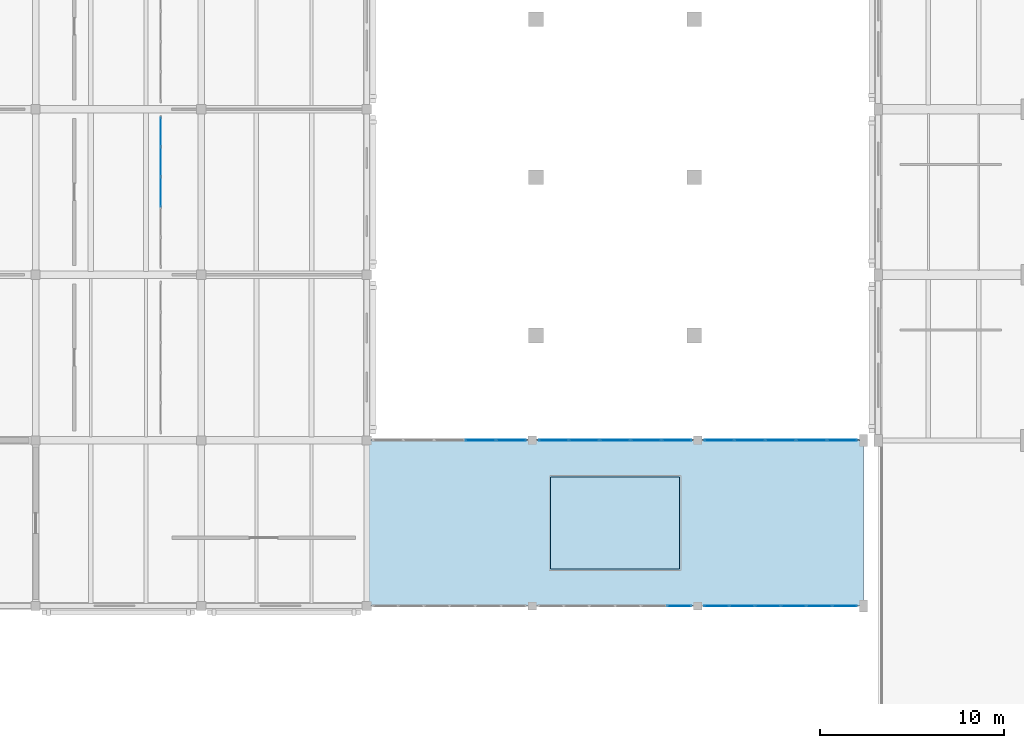
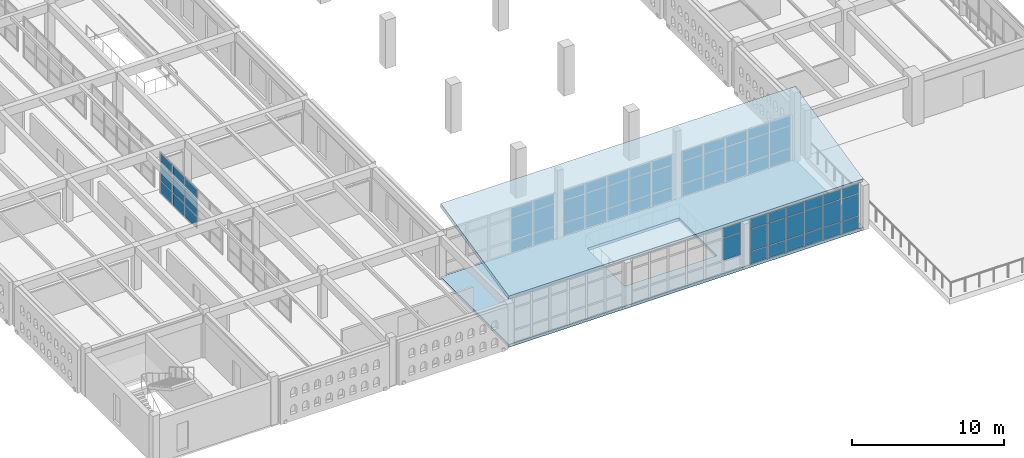
# One storey, part 107 of 156: 65 plates, 2 slabs, 6 elements without a shape of their own.
"""IFC4 building model written with IfcOpenShell, lengths in metres."""

from ifc_helpers import new_model, si_unit, direction, frame, origin, origin_2d, place, context, subcontext, project, spatial, polyline, rectangle, outline, extrude, material, layer, layer_set, type_object, element, aggregate, save


model = new_model("IFC4")

# Units and contexts
model_context = context("Model", 3, precision=1e-05, world=origin(), true_north=direction((0.0, 1.0)))
body_context = subcontext(model_context, "Body", "Model", "MODEL_VIEW")
ifc_project = project(units=[si_unit("LENGTHUNIT", "METRE"), si_unit("AREAUNIT", "SQUARE_METRE"), si_unit("VOLUMEUNIT", "CUBIC_METRE"), si_unit("PLANEANGLEUNIT", "RADIAN"), si_unit("MASSUNIT", "GRAM", prefix="KILO")], contexts=[model_context])

# Site, building, storey
site_placement = place(None, origin())
site = spatial("IfcSite", under=ifc_project, at=site_placement, CompositionType="ELEMENT")
building_placement = place(site_placement, origin())
building = spatial("IfcBuilding", under=site, at=building_placement, Name="Ornek Quay Market", CompositionType="ELEMENT")
storey_placement = place(building_placement, frame((0.0, 0.0, 4.5)))
storey = spatial("IfcBuildingStorey", under=building, at=storey_placement, Name="L01", CompositionType="ELEMENT", Elevation=4.5)

# Curtain wall, plates
ifc_material_1 = material(Name="Anodised bronze aluminium and triple low-e glass", Category="aluminium")
ifc_layer_1 = layer(ifc_material_1, 0.179931640625, Name="Anodised bronze aluminium and triple low-e glass", Category="aluminium")
ifc_layer_set_1 = layer_set([ifc_layer_1], Name="Anodised bronze aluminium and triple low-e glass")
curtain_wall_type_1 = type_object("IfcCurtainWallType", Name="CW-CONC-MOD1500", PredefinedType="USERDEFINED", material=ifc_layer_set_1)
curtain_wall_1_placement = place(storey_placement, origin())
curtain_wall_1 = element("IfcCurtainWall", 1, at=curtain_wall_1_placement, inside=storey, type_object=curtain_wall_type_1, Name="Curtain wall CW-135", ObjectType="CURTAIN WALL", PredefinedType="USERDEFINED")
ifc_material_2 = material(Name="Toughened laminated acoustic glass", Category="glass")
ifc_layer_2 = layer(ifc_material_2, 0.01611328125, Name="Toughened laminated acoustic glass", Category="glass")
ifc_layer_set_2 = layer_set([ifc_layer_2], Name="Toughened laminated acoustic glass")
plate_type_1 = type_object("IfcPlateType", Name="PL-CW-INT-16", PredefinedType="CURTAIN_PANEL", material=ifc_layer_set_2)
plate_1_placement = place(storey_placement, frame((15.800048828125, 42.5, 0.06005859375), z_axis=(0.0, 0.0, 1.0), x_axis=(0.0, 1.0, 0.0)))
plate_1 = element("IfcPlate", 2, at=plate_1_placement, type_object=plate_type_1, Name="CW-135 panel 3.1", PredefinedType="CURTAIN_PANEL", context=body_context, shape_type="SweptSolid", body=[
    extrude(rectangle(XDim=1.580078125, YDim=0.01611328125, at=origin_2d()), origin(), (0.0, 0.0, 1.0), 0.9599609375),
])
plate_2_placement = place(storey_placement, frame((15.800048828125, 42.5, 1.080078125), z_axis=(0.0, 0.0, 1.0), x_axis=(0.0, 1.0, 0.0)))
plate_2 = element("IfcPlate", 3, at=plate_2_placement, type_object=plate_type_1, Name="CW-135 panel 3.2", PredefinedType="CURTAIN_PANEL", context=body_context, shape_type="SweptSolid", body=[
    extrude(rectangle(XDim=1.580078125, YDim=0.01611328125, at=origin_2d()), origin(), (0.0, 0.0, 1.0), 1.340087890625),
])
plate_3_placement = place(storey_placement, frame((15.800048828125, 42.5, 2.47998046875), z_axis=(0.0, 0.0, 1.0), x_axis=(0.0, 1.0, 0.0)))
plate_3 = element("IfcPlate", 4, at=plate_3_placement, type_object=plate_type_1, Name="CW-135 panel 3.3", PredefinedType="CURTAIN_PANEL", context=body_context, shape_type="SweptSolid", body=[
    extrude(rectangle(XDim=1.580078125, YDim=0.01611328125, at=origin_2d()), origin(), (0.0, 0.0, 1.0), 0.760009765625),
])
plate_4_placement = place(storey_placement, frame((15.800048828125, 44.139892578125, 0.06005859375), z_axis=(0.0, 0.0, 1.0), x_axis=(0.0, 1.0, 0.0)))
plate_4 = element("IfcPlate", 5, at=plate_4_placement, type_object=plate_type_1, Name="CW-135 panel 4.1", PredefinedType="CURTAIN_PANEL", context=body_context, shape_type="SweptSolid", body=[
    extrude(rectangle(XDim=1.580078125, YDim=0.01611328125, at=origin_2d()), origin(), (0.0, 0.0, 1.0), 0.9599609375),
])
plate_5_placement = place(storey_placement, frame((15.800048828125, 44.139892578125, 1.080078125), z_axis=(0.0, 0.0, 1.0), x_axis=(0.0, 1.0, 0.0)))
plate_5 = element("IfcPlate", 6, at=plate_5_placement, type_object=plate_type_1, Name="CW-135 panel 4.2", PredefinedType="CURTAIN_PANEL", context=body_context, shape_type="SweptSolid", body=[
    extrude(rectangle(XDim=1.580078125, YDim=0.01611328125, at=origin_2d()), origin(), (0.0, 0.0, 1.0), 1.340087890625),
])
plate_6_placement = place(storey_placement, frame((15.800048828125, 44.139892578125, 2.47998046875), z_axis=(0.0, 0.0, 1.0), x_axis=(0.0, 1.0, 0.0)))
plate_6 = element("IfcPlate", 7, at=plate_6_placement, type_object=plate_type_1, Name="CW-135 panel 4.3", PredefinedType="CURTAIN_PANEL", context=body_context, shape_type="SweptSolid", body=[
    extrude(rectangle(XDim=1.580078125, YDim=0.01611328125, at=origin_2d()), origin(), (0.0, 0.0, 1.0), 0.760009765625),
])
plate_7_placement = place(storey_placement, frame((15.800048828125, 45.764892578125, 0.06005859375), z_axis=(0.0, 0.0, 1.0), x_axis=(0.0, 1.0, 0.0)))
plate_7 = element("IfcPlate", 8, at=plate_7_placement, type_object=plate_type_1, Name="CW-135 panel 5.1", PredefinedType="CURTAIN_PANEL", context=body_context, shape_type="SweptSolid", body=[
    extrude(rectangle(XDim=1.550048828125, YDim=0.01611328125, at=origin_2d()), origin(), (0.0, 0.0, 1.0), 0.9599609375),
])
plate_8_placement = place(storey_placement, frame((15.800048828125, 45.764892578125, 1.080078125), z_axis=(0.0, 0.0, 1.0), x_axis=(0.0, 1.0, 0.0)))
plate_8 = element("IfcPlate", 9, at=plate_8_placement, type_object=plate_type_1, Name="CW-135 panel 5.2", PredefinedType="CURTAIN_PANEL", context=body_context, shape_type="SweptSolid", body=[
    extrude(rectangle(XDim=1.550048828125, YDim=0.01611328125, at=origin_2d()), origin(), (0.0, 0.0, 1.0), 1.340087890625),
])
plate_9_placement = place(storey_placement, frame((15.800048828125, 45.764892578125, 2.47998046875), z_axis=(0.0, 0.0, 1.0), x_axis=(0.0, 1.0, 0.0)))
plate_9 = element("IfcPlate", 10, at=plate_9_placement, type_object=plate_type_1, Name="CW-135 panel 5.3", PredefinedType="CURTAIN_PANEL", context=body_context, shape_type="SweptSolid", body=[
    extrude(rectangle(XDim=1.550048828125, YDim=0.01611328125, at=origin_2d()), origin(), (0.0, 0.0, 1.0), 0.760009765625),
])
aggregate(curtain_wall_1, [plate_1, plate_2, plate_3, plate_4, plate_5, plate_6, plate_7, plate_8, plate_9])

curtain_wall_2_placement = place(storey_placement, origin())
curtain_wall_2 = element("IfcCurtainWall", 11, at=curtain_wall_2_placement, inside=storey, type_object=curtain_wall_type_1, Name="Curtain wall CW-020", ObjectType="CURTAIN WALL", PredefinedType="USERDEFINED")
ifc_material_3 = material(Name="Triple insulated low-e glass", Category="glass")
ifc_layer_3 = layer(ifc_material_3, 0.035888671875, Name="Triple insulated low-e glass", Category="glass")
ifc_layer_set_3 = layer_set([ifc_layer_3], Name="Triple insulated low-e glass")
plate_type_2 = type_object("IfcPlateType", Name="PL-CW-TRIPLE-36", PredefinedType="CURTAIN_PANEL", material=ifc_layer_set_3)
plate_10_placement = place(storey_placement, frame((43.985107421875, 20.0, 1.080078125), z_axis=(0.0, 0.0, 1.0), x_axis=(1.0, 0.0, 0.0)))
plate_10 = element("IfcPlate", 12, at=plate_10_placement, type_object=plate_type_2, Name="CW-020 panel 6.2", PredefinedType="CURTAIN_PANEL", context=body_context, shape_type="SweptSolid", body=[
    extrude(rectangle(XDim=1.31005859375, YDim=0.035888671875, at=origin_2d()), origin(), (0.0, 0.0, 1.0), 1.75),
])
plate_11_placement = place(storey_placement, frame((43.985107421875, 20.0, 2.89013671875), z_axis=(0.0, 0.0, 1.0), x_axis=(1.0, 0.0, 0.0)))
plate_11 = element("IfcPlate", 13, at=plate_11_placement, type_object=plate_type_2, Name="CW-020 panel 6.3", PredefinedType="CURTAIN_PANEL", context=body_context, shape_type="SweptSolid", body=[
    extrude(rectangle(XDim=1.31005859375, YDim=0.035888671875, at=origin_2d()), origin(), (0.0, 0.0, 1.0), 0.760009765625),
])
aggregate(curtain_wall_2, [plate_10, plate_11])

curtain_wall_3_placement = place(storey_placement, origin())
curtain_wall_3 = element("IfcCurtainWall", 14, at=curtain_wall_3_placement, inside=storey, type_object=curtain_wall_type_1, Name="Curtain wall CW-024", ObjectType="CURTAIN WALL", PredefinedType="USERDEFINED")
plate_12_placement = place(storey_placement, frame((46.014892578125, 20.0, 0.06005859375), z_axis=(0.0, 0.0, 1.0), x_axis=(1.0, 0.0, 0.0)))
plate_12 = element("IfcPlate", 15, at=plate_12_placement, type_object=plate_type_2, Name="CW-024 panel 1.1", PredefinedType="CURTAIN_PANEL", context=body_context, shape_type="SweptSolid", body=[
    extrude(rectangle(XDim=1.31005859375, YDim=0.035888671875, at=origin_2d()), origin(), (0.0, 0.0, 1.0), 0.9599609375),
])
plate_13_placement = place(storey_placement, frame((46.014892578125, 20.0, 1.080078125), z_axis=(0.0, 0.0, 1.0), x_axis=(1.0, 0.0, 0.0)))
plate_13 = element("IfcPlate", 16, at=plate_13_placement, type_object=plate_type_2, Name="CW-024 panel 1.2", PredefinedType="CURTAIN_PANEL", context=body_context, shape_type="SweptSolid", body=[
    extrude(rectangle(XDim=1.31005859375, YDim=0.035888671875, at=origin_2d()), origin(), (0.0, 0.0, 1.0), 1.75),
])
plate_14_placement = place(storey_placement, frame((46.014892578125, 20.0, 2.89013671875), z_axis=(0.0, 0.0, 1.0), x_axis=(1.0, 0.0, 0.0)))
plate_14 = element("IfcPlate", 17, at=plate_14_placement, type_object=plate_type_2, Name="CW-024 panel 1.3", PredefinedType="CURTAIN_PANEL", context=body_context, shape_type="SweptSolid", body=[
    extrude(rectangle(XDim=1.31005859375, YDim=0.035888671875, at=origin_2d()), origin(), (0.0, 0.0, 1.0), 0.760009765625),
])
plate_15_placement = place(storey_placement, frame((47.39990234375, 20.0, 0.06005859375), z_axis=(0.0, 0.0, 1.0), x_axis=(1.0, 0.0, 0.0)))
plate_15 = element("IfcPlate", 18, at=plate_15_placement, type_object=plate_type_2, Name="CW-024 panel 2.1", PredefinedType="CURTAIN_PANEL", context=body_context, shape_type="SweptSolid", body=[
    extrude(rectangle(XDim=1.340087890625, YDim=0.035888671875, at=origin_2d()), origin(), (0.0, 0.0, 1.0), 0.9599609375),
])
plate_16_placement = place(storey_placement, frame((47.39990234375, 20.0, 1.080078125), z_axis=(0.0, 0.0, 1.0), x_axis=(1.0, 0.0, 0.0)))
plate_16 = element("IfcPlate", 19, at=plate_16_placement, type_object=plate_type_2, Name="CW-024 panel 2.2", PredefinedType="CURTAIN_PANEL", context=body_context, shape_type="SweptSolid", body=[
    extrude(rectangle(XDim=1.340087890625, YDim=0.035888671875, at=origin_2d()), origin(), (0.0, 0.0, 1.0), 1.75),
])
plate_17_placement = place(storey_placement, frame((47.39990234375, 20.0, 2.89013671875), z_axis=(0.0, 0.0, 1.0), x_axis=(1.0, 0.0, 0.0)))
plate_17 = element("IfcPlate", 20, at=plate_17_placement, type_object=plate_type_2, Name="CW-024 panel 2.3", PredefinedType="CURTAIN_PANEL", context=body_context, shape_type="SweptSolid", body=[
    extrude(rectangle(XDim=1.340087890625, YDim=0.035888671875, at=origin_2d()), origin(), (0.0, 0.0, 1.0), 0.760009765625),
])
plate_18_placement = place(storey_placement, frame((48.800048828125, 20.0, 0.06005859375), z_axis=(0.0, 0.0, 1.0), x_axis=(1.0, 0.0, 0.0)))
plate_18 = element("IfcPlate", 21, at=plate_18_placement, type_object=plate_type_2, Name="CW-024 panel 3.1", PredefinedType="CURTAIN_PANEL", context=body_context, shape_type="SweptSolid", body=[
    extrude(rectangle(XDim=1.340087890625, YDim=0.035888671875, at=origin_2d()), origin(), (0.0, 0.0, 1.0), 0.9599609375),
])
plate_19_placement = place(storey_placement, frame((48.800048828125, 20.0, 1.080078125), z_axis=(0.0, 0.0, 1.0), x_axis=(1.0, 0.0, 0.0)))
plate_19 = element("IfcPlate", 22, at=plate_19_placement, type_object=plate_type_2, Name="CW-024 panel 3.2", PredefinedType="CURTAIN_PANEL", context=body_context, shape_type="SweptSolid", body=[
    extrude(rectangle(XDim=1.340087890625, YDim=0.035888671875, at=origin_2d()), origin(), (0.0, 0.0, 1.0), 1.75),
])
plate_20_placement = place(storey_placement, frame((48.800048828125, 20.0, 2.89013671875), z_axis=(0.0, 0.0, 1.0), x_axis=(1.0, 0.0, 0.0)))
plate_20 = element("IfcPlate", 23, at=plate_20_placement, type_object=plate_type_2, Name="CW-024 panel 3.3", PredefinedType="CURTAIN_PANEL", context=body_context, shape_type="SweptSolid", body=[
    extrude(rectangle(XDim=1.340087890625, YDim=0.035888671875, at=origin_2d()), origin(), (0.0, 0.0, 1.0), 0.760009765625),
])
plate_21_placement = place(storey_placement, frame((50.199951171875, 20.0, 0.06005859375), z_axis=(0.0, 0.0, 1.0), x_axis=(1.0, 0.0, 0.0)))
plate_21 = element("IfcPlate", 24, at=plate_21_placement, type_object=plate_type_2, Name="CW-024 panel 4.1", PredefinedType="CURTAIN_PANEL", context=body_context, shape_type="SweptSolid", body=[
    extrude(rectangle(XDim=1.340087890625, YDim=0.035888671875, at=origin_2d()), origin(), (0.0, 0.0, 1.0), 0.9599609375),
])
plate_22_placement = place(storey_placement, frame((50.199951171875, 20.0, 1.080078125), z_axis=(0.0, 0.0, 1.0), x_axis=(1.0, 0.0, 0.0)))
plate_22 = element("IfcPlate", 25, at=plate_22_placement, type_object=plate_type_2, Name="CW-024 panel 4.2", PredefinedType="CURTAIN_PANEL", context=body_context, shape_type="SweptSolid", body=[
    extrude(rectangle(XDim=1.340087890625, YDim=0.035888671875, at=origin_2d()), origin(), (0.0, 0.0, 1.0), 1.75),
])
plate_23_placement = place(storey_placement, frame((50.199951171875, 20.0, 2.89013671875), z_axis=(0.0, 0.0, 1.0), x_axis=(1.0, 0.0, 0.0)))
plate_23 = element("IfcPlate", 26, at=plate_23_placement, type_object=plate_type_2, Name="CW-024 panel 4.3", PredefinedType="CURTAIN_PANEL", context=body_context, shape_type="SweptSolid", body=[
    extrude(rectangle(XDim=1.340087890625, YDim=0.035888671875, at=origin_2d()), origin(), (0.0, 0.0, 1.0), 0.760009765625),
])
plate_24_placement = place(storey_placement, frame((51.60009765625, 20.0, 0.06005859375), z_axis=(0.0, 0.0, 1.0), x_axis=(1.0, 0.0, 0.0)))
plate_24 = element("IfcPlate", 27, at=plate_24_placement, type_object=plate_type_2, Name="CW-024 panel 5.1", PredefinedType="CURTAIN_PANEL", context=body_context, shape_type="SweptSolid", body=[
    extrude(rectangle(XDim=1.340087890625, YDim=0.035888671875, at=origin_2d()), origin(), (0.0, 0.0, 1.0), 0.9599609375),
])
plate_25_placement = place(storey_placement, frame((51.60009765625, 20.0, 1.080078125), z_axis=(0.0, 0.0, 1.0), x_axis=(1.0, 0.0, 0.0)))
plate_25 = element("IfcPlate", 28, at=plate_25_placement, type_object=plate_type_2, Name="CW-024 panel 5.2", PredefinedType="CURTAIN_PANEL", context=body_context, shape_type="SweptSolid", body=[
    extrude(rectangle(XDim=1.340087890625, YDim=0.035888671875, at=origin_2d()), origin(), (0.0, 0.0, 1.0), 1.75),
])
plate_26_placement = place(storey_placement, frame((51.60009765625, 20.0, 2.89013671875), z_axis=(0.0, 0.0, 1.0), x_axis=(1.0, 0.0, 0.0)))
plate_26 = element("IfcPlate", 29, at=plate_26_placement, type_object=plate_type_2, Name="CW-024 panel 5.3", PredefinedType="CURTAIN_PANEL", context=body_context, shape_type="SweptSolid", body=[
    extrude(rectangle(XDim=1.340087890625, YDim=0.035888671875, at=origin_2d()), origin(), (0.0, 0.0, 1.0), 0.760009765625),
])
plate_27_placement = place(storey_placement, frame((52.985107421875, 20.0, 0.06005859375), z_axis=(0.0, 0.0, 1.0), x_axis=(1.0, 0.0, 0.0)))
plate_27 = element("IfcPlate", 30, at=plate_27_placement, type_object=plate_type_2, Name="CW-024 panel 6.1", PredefinedType="CURTAIN_PANEL", context=body_context, shape_type="SweptSolid", body=[
    extrude(rectangle(XDim=1.31005859375, YDim=0.035888671875, at=origin_2d()), origin(), (0.0, 0.0, 1.0), 0.9599609375),
])
plate_28_placement = place(storey_placement, frame((52.985107421875, 20.0, 1.080078125), z_axis=(0.0, 0.0, 1.0), x_axis=(1.0, 0.0, 0.0)))
plate_28 = element("IfcPlate", 31, at=plate_28_placement, type_object=plate_type_2, Name="CW-024 panel 6.2", PredefinedType="CURTAIN_PANEL", context=body_context, shape_type="SweptSolid", body=[
    extrude(rectangle(XDim=1.31005859375, YDim=0.035888671875, at=origin_2d()), origin(), (0.0, 0.0, 1.0), 1.75),
])
plate_29_placement = place(storey_placement, frame((52.985107421875, 20.0, 2.89013671875), z_axis=(0.0, 0.0, 1.0), x_axis=(1.0, 0.0, 0.0)))
plate_29 = element("IfcPlate", 32, at=plate_29_placement, type_object=plate_type_2, Name="CW-024 panel 6.3", PredefinedType="CURTAIN_PANEL", context=body_context, shape_type="SweptSolid", body=[
    extrude(rectangle(XDim=1.31005859375, YDim=0.035888671875, at=origin_2d()), origin(), (0.0, 0.0, 1.0), 0.760009765625),
])
aggregate(curtain_wall_3, [plate_12, plate_13, plate_14, plate_15, plate_16, plate_17, plate_18, plate_19, plate_20, plate_21, plate_22, plate_23, plate_24, plate_25, plate_26, plate_27, plate_28, plate_29])

ifc_layer_4 = layer(ifc_material_1, 0.199951171875, Name="Anodised bronze aluminium and triple low-e glass", Category="aluminium")
ifc_layer_set_4 = layer_set([ifc_layer_4], Name="Anodised bronze aluminium and triple low-e glass")
curtain_wall_type_2 = type_object("IfcCurtainWallType", Name="CW-CONC-MOD1800", PredefinedType="USERDEFINED", material=ifc_layer_set_4)
curtain_wall_4_placement = place(storey_placement, origin())
curtain_wall_4 = element("IfcCurtainWall", 33, at=curtain_wall_4_placement, inside=storey, type_object=curtain_wall_type_2, Name="Curtain wall CW-015", ObjectType="CURTAIN WALL", PredefinedType="USERDEFINED")
ifc_layer_5 = layer(ifc_material_3, 0.0419921875, Name="Triple insulated low-e glass", Category="glass")
ifc_layer_set_5 = layer_set([ifc_layer_5], Name="Triple insulated low-e glass")
plate_type_3 = type_object("IfcPlateType", Name="PL-CW-TRIPLE-42", PredefinedType="CURTAIN_PANEL", material=ifc_layer_set_5)
plate_30_placement = place(storey_placement, frame((33.179931640625, 29.0, 0.06494140625), z_axis=(0.0, 0.0, 1.0), x_axis=(1.0, 0.0, 0.0)))
plate_30 = element("IfcPlate", 34, at=plate_30_placement, type_object=plate_type_3, Name="CW-015 panel 4.1", PredefinedType="CURTAIN_PANEL", context=body_context, shape_type="SweptSolid", body=[
    extrude(rectangle(XDim=1.614990234375, YDim=0.0419921875, at=origin_2d()), origin(), (0.0, 0.0, 1.0), 0.952392578125),
])
plate_31_placement = place(storey_placement, frame((33.179931640625, 29.0, 1.08251953125), z_axis=(0.0, 0.0, 1.0), x_axis=(1.0, 0.0, 0.0)))
plate_31 = element("IfcPlate", 35, at=plate_31_placement, type_object=plate_type_3, Name="CW-015 panel 4.2", PredefinedType="CURTAIN_PANEL", context=body_context, shape_type="SweptSolid", body=[
    extrude(rectangle(XDim=1.614990234375, YDim=0.0419921875, at=origin_2d()), origin(), (0.0, 0.0, 1.0), 1.7451171875),
])
plate_32_placement = place(storey_placement, frame((33.179931640625, 29.0, 2.892578125), z_axis=(0.0, 0.0, 1.0), x_axis=(1.0, 0.0, 0.0)))
plate_32 = element("IfcPlate", 36, at=plate_32_placement, type_object=plate_type_3, Name="CW-015 panel 4.3", PredefinedType="CURTAIN_PANEL", context=body_context, shape_type="SweptSolid", body=[
    extrude(rectangle(XDim=1.614990234375, YDim=0.0419921875, at=origin_2d()), origin(), (0.0, 0.0, 1.0), 0.75244140625),
])
plate_33_placement = place(storey_placement, frame((34.84375, 29.0, 0.06494140625), z_axis=(0.0, 0.0, 1.0), x_axis=(1.0, 0.0, 0.0)))
plate_33 = element("IfcPlate", 37, at=plate_33_placement, type_object=plate_type_3, Name="CW-015 panel 5.1", PredefinedType="CURTAIN_PANEL", context=body_context, shape_type="SweptSolid", body=[
    extrude(rectangle(XDim=1.58251953125, YDim=0.0419921875, at=origin_2d()), origin(), (0.0, 0.0, 1.0), 0.952392578125),
])
plate_34_placement = place(storey_placement, frame((34.84375, 29.0, 1.08251953125), z_axis=(0.0, 0.0, 1.0), x_axis=(1.0, 0.0, 0.0)))
plate_34 = element("IfcPlate", 38, at=plate_34_placement, type_object=plate_type_3, Name="CW-015 panel 5.2", PredefinedType="CURTAIN_PANEL", context=body_context, shape_type="SweptSolid", body=[
    extrude(rectangle(XDim=1.58251953125, YDim=0.0419921875, at=origin_2d()), origin(), (0.0, 0.0, 1.0), 1.7451171875),
])
plate_35_placement = place(storey_placement, frame((34.84375, 29.0, 2.892578125), z_axis=(0.0, 0.0, 1.0), x_axis=(1.0, 0.0, 0.0)))
plate_35 = element("IfcPlate", 39, at=plate_35_placement, type_object=plate_type_3, Name="CW-015 panel 5.3", PredefinedType="CURTAIN_PANEL", context=body_context, shape_type="SweptSolid", body=[
    extrude(rectangle(XDim=1.58251953125, YDim=0.0419921875, at=origin_2d()), origin(), (0.0, 0.0, 1.0), 0.75244140625),
])
aggregate(curtain_wall_4, [plate_30, plate_31, plate_32, plate_33, plate_34, plate_35])

curtain_wall_5_placement = place(storey_placement, origin())
curtain_wall_5 = element("IfcCurtainWall", 40, at=curtain_wall_5_placement, inside=storey, type_object=curtain_wall_type_2, Name="Curtain wall CW-019", ObjectType="CURTAIN WALL", PredefinedType="USERDEFINED")
plate_36_placement = place(storey_placement, frame((37.15625, 29.0, 0.06494140625), z_axis=(0.0, 0.0, 1.0), x_axis=(1.0, 0.0, 0.0)))
plate_36 = element("IfcPlate", 41, at=plate_36_placement, type_object=plate_type_3, Name="CW-019 panel 1.1", PredefinedType="CURTAIN_PANEL", context=body_context, shape_type="SweptSolid", body=[
    extrude(rectangle(XDim=1.58251953125, YDim=0.0419921875, at=origin_2d()), origin(), (0.0, 0.0, 1.0), 0.952392578125),
])
plate_37_placement = place(storey_placement, frame((37.15625, 29.0, 1.08251953125), z_axis=(0.0, 0.0, 1.0), x_axis=(1.0, 0.0, 0.0)))
plate_37 = element("IfcPlate", 42, at=plate_37_placement, type_object=plate_type_3, Name="CW-019 panel 1.2", PredefinedType="CURTAIN_PANEL", context=body_context, shape_type="SweptSolid", body=[
    extrude(rectangle(XDim=1.58251953125, YDim=0.0419921875, at=origin_2d()), origin(), (0.0, 0.0, 1.0), 1.7451171875),
])
plate_38_placement = place(storey_placement, frame((37.15625, 29.0, 2.892578125), z_axis=(0.0, 0.0, 1.0), x_axis=(1.0, 0.0, 0.0)))
plate_38 = element("IfcPlate", 43, at=plate_38_placement, type_object=plate_type_3, Name="CW-019 panel 1.3", PredefinedType="CURTAIN_PANEL", context=body_context, shape_type="SweptSolid", body=[
    extrude(rectangle(XDim=1.58251953125, YDim=0.0419921875, at=origin_2d()), origin(), (0.0, 0.0, 1.0), 0.75244140625),
])
plate_39_placement = place(storey_placement, frame((38.820068359375, 29.0, 0.06494140625), z_axis=(0.0, 0.0, 1.0), x_axis=(1.0, 0.0, 0.0)))
plate_39 = element("IfcPlate", 44, at=plate_39_placement, type_object=plate_type_3, Name="CW-019 panel 2.1", PredefinedType="CURTAIN_PANEL", context=body_context, shape_type="SweptSolid", body=[
    extrude(rectangle(XDim=1.614990234375, YDim=0.0419921875, at=origin_2d()), origin(), (0.0, 0.0, 1.0), 0.952392578125),
])
plate_40_placement = place(storey_placement, frame((38.820068359375, 29.0, 1.08251953125), z_axis=(0.0, 0.0, 1.0), x_axis=(1.0, 0.0, 0.0)))
plate_40 = element("IfcPlate", 45, at=plate_40_placement, type_object=plate_type_3, Name="CW-019 panel 2.2", PredefinedType="CURTAIN_PANEL", context=body_context, shape_type="SweptSolid", body=[
    extrude(rectangle(XDim=1.614990234375, YDim=0.0419921875, at=origin_2d()), origin(), (0.0, 0.0, 1.0), 1.7451171875),
])
plate_41_placement = place(storey_placement, frame((38.820068359375, 29.0, 2.892578125), z_axis=(0.0, 0.0, 1.0), x_axis=(1.0, 0.0, 0.0)))
plate_41 = element("IfcPlate", 46, at=plate_41_placement, type_object=plate_type_3, Name="CW-019 panel 2.3", PredefinedType="CURTAIN_PANEL", context=body_context, shape_type="SweptSolid", body=[
    extrude(rectangle(XDim=1.614990234375, YDim=0.0419921875, at=origin_2d()), origin(), (0.0, 0.0, 1.0), 0.75244140625),
])
plate_42_placement = place(storey_placement, frame((40.5, 29.0, 0.06494140625), z_axis=(0.0, 0.0, 1.0), x_axis=(1.0, 0.0, 0.0)))
plate_42 = element("IfcPlate", 47, at=plate_42_placement, type_object=plate_type_3, Name="CW-019 panel 3.1", PredefinedType="CURTAIN_PANEL", context=body_context, shape_type="SweptSolid", body=[
    extrude(rectangle(XDim=1.614990234375, YDim=0.0419921875, at=origin_2d()), origin(), (0.0, 0.0, 1.0), 0.952392578125),
])
plate_43_placement = place(storey_placement, frame((40.5, 29.0, 1.08251953125), z_axis=(0.0, 0.0, 1.0), x_axis=(1.0, 0.0, 0.0)))
plate_43 = element("IfcPlate", 48, at=plate_43_placement, type_object=plate_type_3, Name="CW-019 panel 3.2", PredefinedType="CURTAIN_PANEL", context=body_context, shape_type="SweptSolid", body=[
    extrude(rectangle(XDim=1.614990234375, YDim=0.0419921875, at=origin_2d()), origin(), (0.0, 0.0, 1.0), 1.7451171875),
])
plate_44_placement = place(storey_placement, frame((40.5, 29.0, 2.892578125), z_axis=(0.0, 0.0, 1.0), x_axis=(1.0, 0.0, 0.0)))
plate_44 = element("IfcPlate", 49, at=plate_44_placement, type_object=plate_type_3, Name="CW-019 panel 3.3", PredefinedType="CURTAIN_PANEL", context=body_context, shape_type="SweptSolid", body=[
    extrude(rectangle(XDim=1.614990234375, YDim=0.0419921875, at=origin_2d()), origin(), (0.0, 0.0, 1.0), 0.75244140625),
])
plate_45_placement = place(storey_placement, frame((42.179931640625, 29.0, 0.06494140625), z_axis=(0.0, 0.0, 1.0), x_axis=(1.0, 0.0, 0.0)))
plate_45 = element("IfcPlate", 50, at=plate_45_placement, type_object=plate_type_3, Name="CW-019 panel 4.1", PredefinedType="CURTAIN_PANEL", context=body_context, shape_type="SweptSolid", body=[
    extrude(rectangle(XDim=1.614990234375, YDim=0.0419921875, at=origin_2d()), origin(), (0.0, 0.0, 1.0), 0.952392578125),
])
plate_46_placement = place(storey_placement, frame((42.179931640625, 29.0, 1.08251953125), z_axis=(0.0, 0.0, 1.0), x_axis=(1.0, 0.0, 0.0)))
plate_46 = element("IfcPlate", 51, at=plate_46_placement, type_object=plate_type_3, Name="CW-019 panel 4.2", PredefinedType="CURTAIN_PANEL", context=body_context, shape_type="SweptSolid", body=[
    extrude(rectangle(XDim=1.614990234375, YDim=0.0419921875, at=origin_2d()), origin(), (0.0, 0.0, 1.0), 1.7451171875),
])
plate_47_placement = place(storey_placement, frame((42.179931640625, 29.0, 2.892578125), z_axis=(0.0, 0.0, 1.0), x_axis=(1.0, 0.0, 0.0)))
plate_47 = element("IfcPlate", 52, at=plate_47_placement, type_object=plate_type_3, Name="CW-019 panel 4.3", PredefinedType="CURTAIN_PANEL", context=body_context, shape_type="SweptSolid", body=[
    extrude(rectangle(XDim=1.614990234375, YDim=0.0419921875, at=origin_2d()), origin(), (0.0, 0.0, 1.0), 0.75244140625),
])
plate_48_placement = place(storey_placement, frame((43.84375, 29.0, 0.06494140625), z_axis=(0.0, 0.0, 1.0), x_axis=(1.0, 0.0, 0.0)))
plate_48 = element("IfcPlate", 53, at=plate_48_placement, type_object=plate_type_3, Name="CW-019 panel 5.1", PredefinedType="CURTAIN_PANEL", context=body_context, shape_type="SweptSolid", body=[
    extrude(rectangle(XDim=1.58251953125, YDim=0.0419921875, at=origin_2d()), origin(), (0.0, 0.0, 1.0), 0.952392578125),
])
plate_49_placement = place(storey_placement, frame((43.84375, 29.0, 1.08251953125), z_axis=(0.0, 0.0, 1.0), x_axis=(1.0, 0.0, 0.0)))
plate_49 = element("IfcPlate", 54, at=plate_49_placement, type_object=plate_type_3, Name="CW-019 panel 5.2", PredefinedType="CURTAIN_PANEL", context=body_context, shape_type="SweptSolid", body=[
    extrude(rectangle(XDim=1.58251953125, YDim=0.0419921875, at=origin_2d()), origin(), (0.0, 0.0, 1.0), 1.7451171875),
])
plate_50_placement = place(storey_placement, frame((43.84375, 29.0, 2.892578125), z_axis=(0.0, 0.0, 1.0), x_axis=(1.0, 0.0, 0.0)))
plate_50 = element("IfcPlate", 55, at=plate_50_placement, type_object=plate_type_3, Name="CW-019 panel 5.3", PredefinedType="CURTAIN_PANEL", context=body_context, shape_type="SweptSolid", body=[
    extrude(rectangle(XDim=1.58251953125, YDim=0.0419921875, at=origin_2d()), origin(), (0.0, 0.0, 1.0), 0.75244140625),
])
aggregate(curtain_wall_5, [plate_36, plate_37, plate_38, plate_39, plate_40, plate_41, plate_42, plate_43, plate_44, plate_45, plate_46, plate_47, plate_48, plate_49, plate_50])

curtain_wall_6_placement = place(storey_placement, origin())
curtain_wall_6 = element("IfcCurtainWall", 56, at=curtain_wall_6_placement, inside=storey, type_object=curtain_wall_type_2, Name="Curtain wall CW-023", ObjectType="CURTAIN WALL", PredefinedType="USERDEFINED")
plate_51_placement = place(storey_placement, frame((46.15625, 29.0, 0.06494140625), z_axis=(0.0, 0.0, 1.0), x_axis=(1.0, 0.0, 0.0)))
plate_51 = element("IfcPlate", 57, at=plate_51_placement, type_object=plate_type_3, Name="CW-023 panel 1.1", PredefinedType="CURTAIN_PANEL", context=body_context, shape_type="SweptSolid", body=[
    extrude(rectangle(XDim=1.58251953125, YDim=0.0419921875, at=origin_2d()), origin(), (0.0, 0.0, 1.0), 0.952392578125),
])
plate_52_placement = place(storey_placement, frame((46.15625, 29.0, 1.08251953125), z_axis=(0.0, 0.0, 1.0), x_axis=(1.0, 0.0, 0.0)))
plate_52 = element("IfcPlate", 58, at=plate_52_placement, type_object=plate_type_3, Name="CW-023 panel 1.2", PredefinedType="CURTAIN_PANEL", context=body_context, shape_type="SweptSolid", body=[
    extrude(rectangle(XDim=1.58251953125, YDim=0.0419921875, at=origin_2d()), origin(), (0.0, 0.0, 1.0), 1.7451171875),
])
plate_53_placement = place(storey_placement, frame((46.15625, 29.0, 2.892578125), z_axis=(0.0, 0.0, 1.0), x_axis=(1.0, 0.0, 0.0)))
plate_53 = element("IfcPlate", 59, at=plate_53_placement, type_object=plate_type_3, Name="CW-023 panel 1.3", PredefinedType="CURTAIN_PANEL", context=body_context, shape_type="SweptSolid", body=[
    extrude(rectangle(XDim=1.58251953125, YDim=0.0419921875, at=origin_2d()), origin(), (0.0, 0.0, 1.0), 0.75244140625),
])
plate_54_placement = place(storey_placement, frame((47.820068359375, 29.0, 0.06494140625), z_axis=(0.0, 0.0, 1.0), x_axis=(1.0, 0.0, 0.0)))
plate_54 = element("IfcPlate", 60, at=plate_54_placement, type_object=plate_type_3, Name="CW-023 panel 2.1", PredefinedType="CURTAIN_PANEL", context=body_context, shape_type="SweptSolid", body=[
    extrude(rectangle(XDim=1.614990234375, YDim=0.0419921875, at=origin_2d()), origin(), (0.0, 0.0, 1.0), 0.952392578125),
])
plate_55_placement = place(storey_placement, frame((47.820068359375, 29.0, 1.08251953125), z_axis=(0.0, 0.0, 1.0), x_axis=(1.0, 0.0, 0.0)))
plate_55 = element("IfcPlate", 61, at=plate_55_placement, type_object=plate_type_3, Name="CW-023 panel 2.2", PredefinedType="CURTAIN_PANEL", context=body_context, shape_type="SweptSolid", body=[
    extrude(rectangle(XDim=1.614990234375, YDim=0.0419921875, at=origin_2d()), origin(), (0.0, 0.0, 1.0), 1.7451171875),
])
plate_56_placement = place(storey_placement, frame((47.820068359375, 29.0, 2.892578125), z_axis=(0.0, 0.0, 1.0), x_axis=(1.0, 0.0, 0.0)))
plate_56 = element("IfcPlate", 62, at=plate_56_placement, type_object=plate_type_3, Name="CW-023 panel 2.3", PredefinedType="CURTAIN_PANEL", context=body_context, shape_type="SweptSolid", body=[
    extrude(rectangle(XDim=1.614990234375, YDim=0.0419921875, at=origin_2d()), origin(), (0.0, 0.0, 1.0), 0.75244140625),
])
plate_57_placement = place(storey_placement, frame((49.5, 29.0, 0.06494140625), z_axis=(0.0, 0.0, 1.0), x_axis=(1.0, 0.0, 0.0)))
plate_57 = element("IfcPlate", 63, at=plate_57_placement, type_object=plate_type_3, Name="CW-023 panel 3.1", PredefinedType="CURTAIN_PANEL", context=body_context, shape_type="SweptSolid", body=[
    extrude(rectangle(XDim=1.614990234375, YDim=0.0419921875, at=origin_2d()), origin(), (0.0, 0.0, 1.0), 0.952392578125),
])
plate_58_placement = place(storey_placement, frame((49.5, 29.0, 1.08251953125), z_axis=(0.0, 0.0, 1.0), x_axis=(1.0, 0.0, 0.0)))
plate_58 = element("IfcPlate", 64, at=plate_58_placement, type_object=plate_type_3, Name="CW-023 panel 3.2", PredefinedType="CURTAIN_PANEL", context=body_context, shape_type="SweptSolid", body=[
    extrude(rectangle(XDim=1.614990234375, YDim=0.0419921875, at=origin_2d()), origin(), (0.0, 0.0, 1.0), 1.7451171875),
])
plate_59_placement = place(storey_placement, frame((49.5, 29.0, 2.892578125), z_axis=(0.0, 0.0, 1.0), x_axis=(1.0, 0.0, 0.0)))
plate_59 = element("IfcPlate", 65, at=plate_59_placement, type_object=plate_type_3, Name="CW-023 panel 3.3", PredefinedType="CURTAIN_PANEL", context=body_context, shape_type="SweptSolid", body=[
    extrude(rectangle(XDim=1.614990234375, YDim=0.0419921875, at=origin_2d()), origin(), (0.0, 0.0, 1.0), 0.75244140625),
])
plate_60_placement = place(storey_placement, frame((51.179931640625, 29.0, 0.06494140625), z_axis=(0.0, 0.0, 1.0), x_axis=(1.0, 0.0, 0.0)))
plate_60 = element("IfcPlate", 66, at=plate_60_placement, type_object=plate_type_3, Name="CW-023 panel 4.1", PredefinedType="CURTAIN_PANEL", context=body_context, shape_type="SweptSolid", body=[
    extrude(rectangle(XDim=1.614990234375, YDim=0.0419921875, at=origin_2d()), origin(), (0.0, 0.0, 1.0), 0.952392578125),
])
plate_61_placement = place(storey_placement, frame((51.179931640625, 29.0, 1.08251953125), z_axis=(0.0, 0.0, 1.0), x_axis=(1.0, 0.0, 0.0)))
plate_61 = element("IfcPlate", 67, at=plate_61_placement, type_object=plate_type_3, Name="CW-023 panel 4.2", PredefinedType="CURTAIN_PANEL", context=body_context, shape_type="SweptSolid", body=[
    extrude(rectangle(XDim=1.614990234375, YDim=0.0419921875, at=origin_2d()), origin(), (0.0, 0.0, 1.0), 1.7451171875),
])
plate_62_placement = place(storey_placement, frame((51.179931640625, 29.0, 2.892578125), z_axis=(0.0, 0.0, 1.0), x_axis=(1.0, 0.0, 0.0)))
plate_62 = element("IfcPlate", 68, at=plate_62_placement, type_object=plate_type_3, Name="CW-023 panel 4.3", PredefinedType="CURTAIN_PANEL", context=body_context, shape_type="SweptSolid", body=[
    extrude(rectangle(XDim=1.614990234375, YDim=0.0419921875, at=origin_2d()), origin(), (0.0, 0.0, 1.0), 0.75244140625),
])
plate_63_placement = place(storey_placement, frame((52.84375, 29.0, 0.06494140625), z_axis=(0.0, 0.0, 1.0), x_axis=(1.0, 0.0, 0.0)))
plate_63 = element("IfcPlate", 69, at=plate_63_placement, type_object=plate_type_3, Name="CW-023 panel 5.1", PredefinedType="CURTAIN_PANEL", context=body_context, shape_type="SweptSolid", body=[
    extrude(rectangle(XDim=1.58251953125, YDim=0.0419921875, at=origin_2d()), origin(), (0.0, 0.0, 1.0), 0.952392578125),
])
plate_64_placement = place(storey_placement, frame((52.84375, 29.0, 1.08251953125), z_axis=(0.0, 0.0, 1.0), x_axis=(1.0, 0.0, 0.0)))
plate_64 = element("IfcPlate", 70, at=plate_64_placement, type_object=plate_type_3, Name="CW-023 panel 5.2", PredefinedType="CURTAIN_PANEL", context=body_context, shape_type="SweptSolid", body=[
    extrude(rectangle(XDim=1.58251953125, YDim=0.0419921875, at=origin_2d()), origin(), (0.0, 0.0, 1.0), 1.7451171875),
])
plate_65_placement = place(storey_placement, frame((52.84375, 29.0, 2.892578125), z_axis=(0.0, 0.0, 1.0), x_axis=(1.0, 0.0, 0.0)))
plate_65 = element("IfcPlate", 71, at=plate_65_placement, type_object=plate_type_3, Name="CW-023 panel 5.3", PredefinedType="CURTAIN_PANEL", context=body_context, shape_type="SweptSolid", body=[
    extrude(rectangle(XDim=1.58251953125, YDim=0.0419921875, at=origin_2d()), origin(), (0.0, 0.0, 1.0), 0.75244140625),
])
aggregate(curtain_wall_6, [plate_51, plate_52, plate_53, plate_54, plate_55, plate_56, plate_57, plate_58, plate_59, plate_60, plate_61, plate_62, plate_63, plate_64, plate_65])

# Slabs
ifc_material_4 = material(Name="Concrete C35/45", Category="concrete")
ifc_layer_6 = layer(ifc_material_4, 0.22998046875, Name="Concrete C35/45", Category="concrete")
ifc_layer_set_6 = layer_set([ifc_layer_6], Name="Concrete C35/45")
slab_type_1 = type_object("IfcSlabType", Name="SL-FLR-CONC-230", PredefinedType="FLOOR", material=ifc_layer_set_6)
slab_1_placement = place(storey_placement, frame((0.0, 0.0, -0.22998046875)))
element("IfcSlab", 72, at=slab_1_placement, inside=storey, type_object=slab_type_1, Name="Slab S-027 (L01)", PredefinedType="FLOOR", context=body_context, shape_type="SweptSolid", body=[
    extrude(outline(polyline([(27.0, 20.0), (54.0, 20.0), (54.0, 29.0), (27.0, 29.0), (27.0, 20.0)]), holes=[polyline([(37.0, 27.0), (44.0, 27.0), (44.0, 22.0), (37.0, 22.0), (37.0, 27.0)])]), origin(), (0.0, 0.0, 1.0), 0.22998046875),
])
ifc_layer_7 = layer(ifc_material_4, 0.31005859375, Name="Concrete C35/45", Category="concrete")
ifc_layer_set_7 = layer_set([ifc_layer_7], Name="Concrete C35/45")
slab_type_2 = type_object("IfcSlabType", Name="SL-RF-WING-310", PredefinedType="ROOF", material=ifc_layer_set_7)
slab_2_placement = place(storey_placement, frame((27.0, 20.0, 3.89990234375), z_axis=(0.0, -0.216930457819, 0.976187060184), x_axis=(1.0, 0.0, 0.0)))
element("IfcSlab", 73, at=slab_2_placement, inside=storey, type_object=slab_type_2, Name="Sloped roof slab S-051 (L01)", PredefinedType="ROOF", context=body_context, shape_type="SweptSolid", body=[
    extrude(outline(polyline([(0.0, 0.0), (27.0, 0.0), (27.0, 9.219544457292887), (0.0, 9.219544457292887), (0.0, 0.0)])), origin(), (0.0, 0.0, -1.0), 0.31005859375),
])

save(model, "model.ifc")
